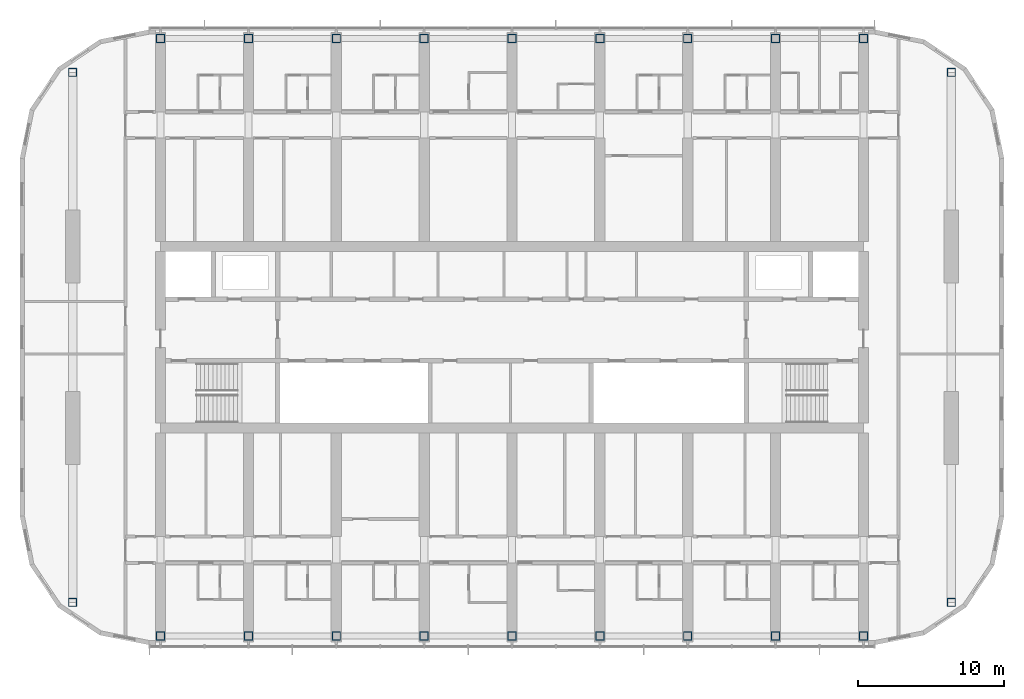
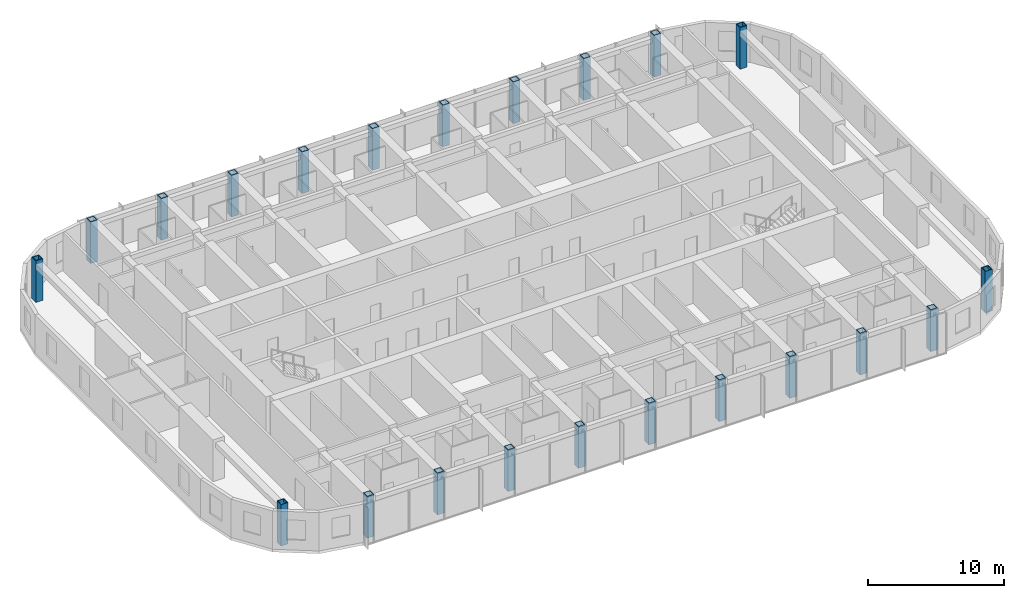
# One storey, part 1 of 23: 22 columns.
"""IFC4 building model written with IfcOpenShell, lengths in metres."""

from ifc_helpers import new_model, si_unit, direction, frame, origin, origin_2d, place, context, subcontext, project, spatial, hollow_rectangle, extrude, material, material_profile, profile_set, type_object, element, save


model = new_model("IFC4")

# Units and contexts
model_context = context("Model", 3, precision=1e-05, world=origin(), true_north=direction((0.0, 1.0)))
body_context = subcontext(model_context, "Body", "Model", "MODEL_VIEW")
ifc_project = project(units=[si_unit("LENGTHUNIT", "METRE"), si_unit("AREAUNIT", "SQUARE_METRE"), si_unit("VOLUMEUNIT", "CUBIC_METRE"), si_unit("PLANEANGLEUNIT", "RADIAN"), si_unit("MASSUNIT", "GRAM", prefix="KILO")], contexts=[model_context])

# Site, building, storey
site_placement = place(None, origin())
site = spatial("IfcSite", under=ifc_project, at=site_placement, CompositionType="ELEMENT")
building_placement = place(site_placement, origin())
building = spatial("IfcBuilding", under=site, at=building_placement, Name="Orbita Commons", CompositionType="ELEMENT")
storey_placement = place(building_placement, frame((0.0, 0.0, 254.050048828125)))
storey = spatial("IfcBuildingStorey", under=building, at=storey_placement, Name="L63", CompositionType="ELEMENT", Elevation=254.050048828125)

# Columns
ifc_material = material(Name="Steel ASTM A572 Gr 50 welded plate", Category="steel")
ifc_material_profile = material_profile(ifc_material, hollow_rectangle(XDim=0.60009765625, YDim=0.60009765625, WallThickness=0.06005859375, at=origin_2d()), Name="BOX 600x600x60")
ifc_profile_set = profile_set([ifc_material_profile], Name="Steel ASTM A572 Gr 50 welded plate")
column_type = type_object("IfcColumnType", Name="Steel column BOX 600x600x60", PredefinedType="COLUMN", material=ifc_profile_set)
for number, where, z_axis, x_axis, name in (
    (1, (18.0, 11.60009765625, 0.0), (0.0, 0.0, 1.0), (1.0, 0.0, 0.0), "Column 4/B L63"),
    (2, (18.0, 52.39990234375, 0.0), (0.0, 0.0, 1.0), (1.0, 0.0, 0.0), "Column 4/E L63"),
    (3, (24.0, 11.60009765625, 0.0), (0.0, 0.0, 1.0), (1.0, 0.0, 0.0), "Column 5/B L63"),
    (4, (24.0, 52.39990234375, 0.0), (0.0, 0.0, 1.0), (1.0, 0.0, 0.0), "Column 5/E L63"),
    (5, (30.0, 11.60009765625, 0.0), (0.0, 0.0, 1.0), (1.0, 0.0, 0.0), "Column 6/B L63"),
    (6, (30.0, 52.39990234375, 0.0), (0.0, 0.0, 1.0), (1.0, 0.0, 0.0), "Column 6/E L63"),
    (7, (36.0, 11.60009765625, 0.0), (0.0, 0.0, 1.0), (1.0, 0.0, 0.0), "Column 7/B L63"),
    (8, (36.0, 52.39990234375, 0.0), (0.0, 0.0, 1.0), (1.0, 0.0, 0.0), "Column 7/E L63"),
    (9, (42.0, 11.60009765625, 0.0), (0.0, 0.0, 1.0), (1.0, 0.0, 0.0), "Column 8/B L63"),
    (10, (42.0, 52.39990234375, 0.0), (0.0, 0.0, 1.0), (1.0, 0.0, 0.0), "Column 8/E L63"),
    (11, (48.0, 11.60009765625, 0.0), (0.0, 0.0, 1.0), (1.0, 0.0, 0.0), "Column 9/B L63"),
    (12, (48.0, 52.39990234375, 0.0), (0.0, 0.0, 1.0), (1.0, 0.0, 0.0), "Column 9/E L63"),
    (13, (54.0, 11.60009765625, 0.0), (0.0, 0.0, 1.0), (1.0, 0.0, 0.0), "Column 10/B L63"),
    (14, (54.0, 52.39990234375, 0.0), (0.0, 0.0, 1.0), (1.0, 0.0, 0.0), "Column 10/E L63"),
    (15, (60.0, 11.60009765625, 0.0), (0.0, 0.0, 1.0), (1.0, 0.0, 0.0), "Column 11/B L63"),
    (16, (60.0, 52.39990234375, 0.0), (0.0, 0.0, 1.0), (1.0, 0.0, 0.0), "Column 11/E L63"),
    (17, (66.0, 11.60009765625, 0.0), (0.0, 0.0, 1.0), (1.0, 0.0, 0.0), "Column 12/B L63"),
    (18, (66.0, 52.39990234375, 0.0), (0.0, 0.0, 1.0), (1.0, 0.0, 0.0), "Column 12/E L63"),
    (19, (12.0, 13.89990234375, 0.0), (0.0, 0.0, 1.0), (1.0, 0.0, 0.0), "Column 3/13.9 L63"),
    (20, (12.0, 50.10009765625, 0.0), (0.0, 0.0, 1.0), (1.0, 0.0, 0.0), "Column 3/50.1 L63"),
    (21, (72.0, 13.89990234375, 0.0), (0.0, 0.0, 1.0), (1.0, 0.0, 0.0), "Column 13/13.9 L63"),
    (22, (72.0, 50.10009765625, 0.0), (0.0, 0.0, 1.0), (1.0, 0.0, 0.0), "Column 13/50.1 L63"),
):
    element("IfcColumn", number, at=place(storey_placement, frame(where, z_axis=z_axis, x_axis=x_axis)), inside=storey, type_object=column_type, Name=name, PredefinedType="COLUMN", context=body_context, shape_type="SweptSolid", body=[
        extrude(hollow_rectangle(XDim=0.60009765625, YDim=0.60009765625, WallThickness=0.06005859375, at=origin_2d()), origin(), (0.0, 0.0, 1.0), 3.75),
    ])

save(model, "model.ifc")
